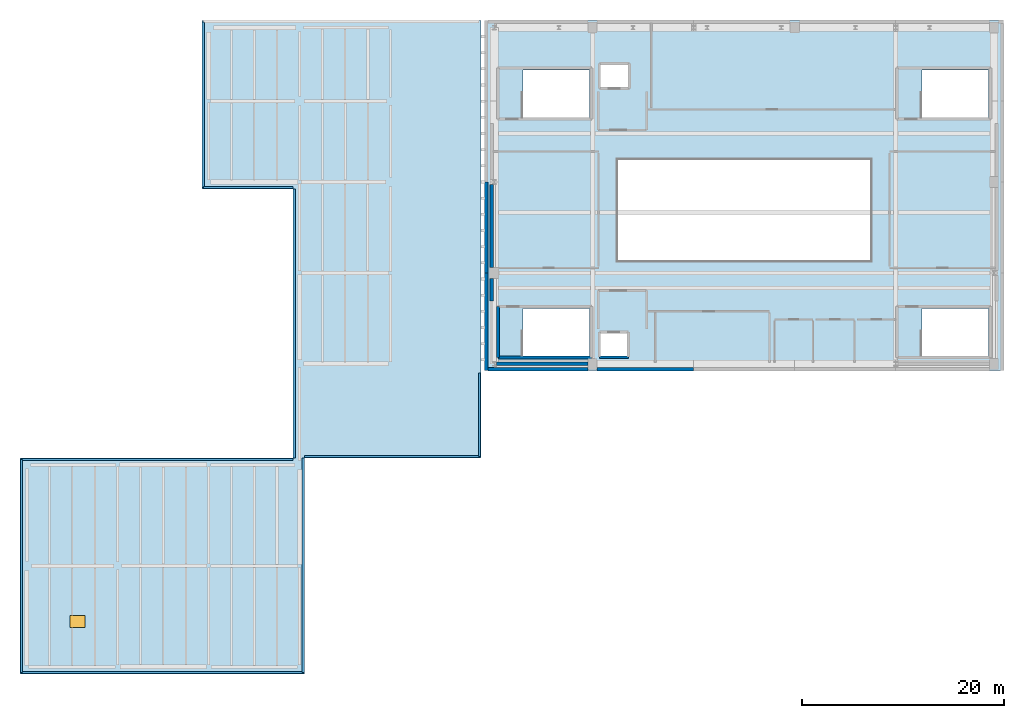
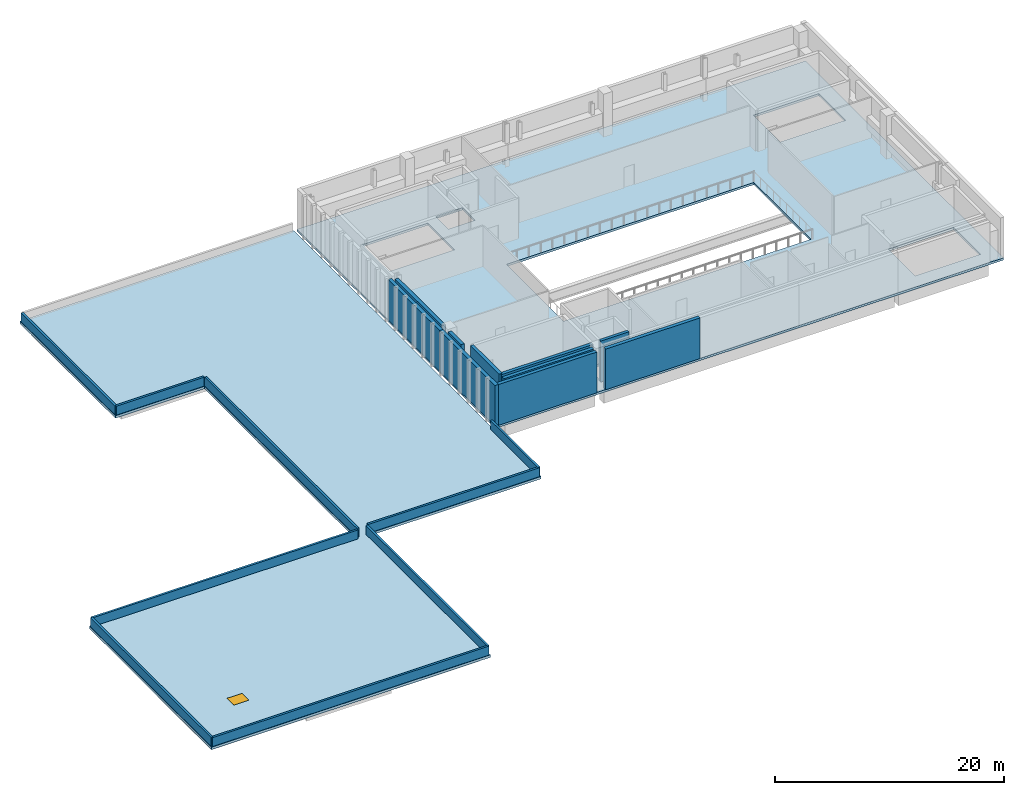
# One storey, part 5 of 8: 19 walls, 2 slabs, 1 window, 1 opening.
"""IFC4 building model written with IfcOpenShell, lengths in metres."""

from ifc_helpers import new_model, si_unit, direction, frame, frame_2d, origin, origin_2d, place, context, subcontext, project, spatial, polyline, rectangle, outline, extrude, material, layer, layer_set, type_object, element, fill, save


model = new_model("IFC4")

# Units and contexts
model_context = context("Model", 3, precision=1e-05, world=origin(), true_north=direction((0.0, 1.0)))
body_context = subcontext(model_context, "Body", "Model", "MODEL_VIEW")
ifc_project = project(units=[si_unit("LENGTHUNIT", "METRE"), si_unit("AREAUNIT", "SQUARE_METRE"), si_unit("VOLUMEUNIT", "CUBIC_METRE"), si_unit("PLANEANGLEUNIT", "RADIAN"), si_unit("MASSUNIT", "GRAM", prefix="KILO")], contexts=[model_context])

# Site, building, storey
site_placement = place(None, origin())
site = spatial("IfcSite", under=ifc_project, at=site_placement, CompositionType="ELEMENT")
building_placement = place(site_placement, origin())
building = spatial("IfcBuilding", under=site, at=building_placement, Name="Trimount Lyric Opera House", CompositionType="ELEMENT")
storey_placement = place(building_placement, frame((0.0, 0.0, 29.60009765625)))
storey = spatial("IfcBuildingStorey", under=building, at=storey_placement, Name="L06", CompositionType="ELEMENT", Elevation=29.60009765625)

# Slab
ifc_material_1 = material(Name="Concrete C35/45", Category="concrete")
ifc_layer_1 = layer(ifc_material_1, 0.239990234375)
ifc_layer_set_1 = layer_set([ifc_layer_1], Name="SL-FL240")
slab_type_1 = type_object("IfcSlabType", Name="SL-FL240", PredefinedType="FLOOR", material=ifc_layer_set_1)
slab_1_placement = place(storey_placement, frame((0.0, 0.0, -0.239990234375)))
element("IfcSlab", 1, at=slab_1_placement, inside=storey, type_object=slab_type_1, Name="L06 floor slab L06-VOL1-N", PredefinedType="FLOOR", context=body_context, shape_type="SweptSolid", body=[
    extrude(outline(polyline([(63.320068359375, 118.0), (114.679931640625, 118.0), (114.679931640625, 83.320068359375), (63.320068359375, 83.320068359375), (63.320068359375, 118.0)]), holes=[polyline([(106.60009765625, 89.5), (106.60009765625, 84.800048828125), (113.199951171875, 84.800048828125), (113.199951171875, 89.5), (106.60009765625, 89.5)]), polyline([(106.60009765625, 113.10009765625), (106.60009765625, 108.39990234375), (113.199951171875, 108.39990234375), (113.199951171875, 113.10009765625), (106.60009765625, 113.10009765625)]), polyline([(76.5, 104.199951171875), (76.5, 94.199951171875), (101.5, 94.199951171875), (101.5, 104.199951171875), (76.5, 104.199951171875)]), polyline([(74.800048828125, 113.60009765625), (74.800048828125, 111.39990234375), (77.5, 111.39990234375), (77.5, 113.60009765625), (74.800048828125, 113.60009765625)]), polyline([(74.800048828125, 84.800048828125), (77.39990234375, 84.800048828125), (77.39990234375, 87.0), (74.800048828125, 87.0), (74.800048828125, 84.800048828125)]), polyline([(67.10009765625, 89.5), (67.10009765625, 84.800048828125), (73.699951171875, 84.800048828125), (73.699951171875, 89.5), (67.10009765625, 89.5)]), polyline([(67.10009765625, 108.39990234375), (73.699951171875, 108.39990234375), (73.699951171875, 113.10009765625), (67.10009765625, 113.10009765625), (67.10009765625, 108.39990234375)])]), origin(), (0.0, 0.0, 1.0), 0.239990234375),
])

# Slab, opening, window
ifc_material_2 = material(Name="Concrete C40/50", Category="concrete")
ifc_layer_2 = layer(ifc_material_2, 0.27001953125)
ifc_layer_set_2 = layer_set([ifc_layer_2], Name="SL-RF270")
slab_type_2 = type_object("IfcSlabType", Name="SL-RF270", PredefinedType="ROOF", material=ifc_layer_set_2)
slab_2_placement = place(storey_placement, frame((0.0, 0.0, -0.27001953125)))
slab_2 = element("IfcSlab", 2, at=slab_2_placement, inside=storey, type_object=slab_type_2, Name="West rehearsal wing upper roof", PredefinedType="ROOF", context=body_context, shape_type="SweptSolid", body=[
    extrude(outline(polyline([(45.5, 74.679931640625), (45.5, 53.320068359375), (17.320068359375, 53.320068359375), (17.320068359375, 74.679931640625), (44.320068359375, 74.679931640625), (44.320068359375, 101.320068359375), (35.320068359375, 101.320068359375), (35.320068359375, 118.0), (62.949951171875, 118.0), (62.949951171875, 74.679931640625), (45.5, 74.679931640625)])), origin(), (0.0, 0.0, 1.0), 0.27001953125),
])
opening_placement = place(slab_2_placement, frame((23.0, 58.5, 0.0)))
opening = element("IfcOpeningElement", 3, at=opening_placement, cuts=slab_2, Name="Opening WT-SKY4", PredefinedType="OPENING", context=body_context, shape_type="SweptSolid", body=[
    extrude(rectangle(XDim=1.5, YDim=1.199951171875, at=origin_2d()), frame((0.0, 0.0, -0.010009765625)), (0.0, 0.0, 1.0), 0.2900390625),
])
ifc_material_3 = material(Name="Roof Maintenance Access Hatch")
window_type = type_object("IfcWindowType", Name="WT-SKY4", PartitioningType="SINGLE_PANEL", PredefinedType="SKYLIGHT", material=ifc_material_3)
window_placement = place(opening_placement, frame((0.0, 0.0, 0.219970703125)))
window = element("IfcWindow", 4, at=window_placement, inside=storey, type_object=window_type, Name="West Core K6 Stair Smoke Hatch", OverallHeight=1.199951171875, OverallWidth=1.5, PartitioningType="SINGLE_PANEL", PredefinedType="SKYLIGHT", context=body_context, shape_type="SweptSolid", body=[
    extrude(rectangle(XDim=1.5, YDim=1.199951171875, at=origin_2d()), origin(), (0.0, 0.0, 1.0), 0.050048828125),
])
fill(opening, window)

# Walls
ifc_material_4 = material(Name="Precast concrete C40/50", Category="concrete")
ifc_layer_3 = layer(ifc_material_4, 0.2099609375)
ifc_layer_set_3 = layer_set([ifc_layer_3], Name="WL-PA210")
wall_type_1 = type_object("IfcWallType", Name="WL-PA210", PredefinedType="PARAPET", material=ifc_layer_set_3)
wall_1_placement = place(storey_placement, frame((45.360107421875, 74.679931640625, 0.0), z_axis=(0.0, 0.0, 1.0), x_axis=(0.0, -1.0, 0.0)))
element("IfcWall", 5, at=wall_1_placement, inside=storey, type_object=wall_type_1, Name="L06 roof parapet 032", PredefinedType="PARAPET", context=body_context, shape_type="SweptSolid", body=[
    extrude(rectangle(XDim=21.219970703125, YDim=0.2099609375, at=frame_2d((10.60986328125, 0.0))), origin(), (0.0, 0.0, 1.0), 0.949951171875),
])
wall_2_placement = place(storey_placement, frame((45.360107421875, 53.4599609375, 0.0), z_axis=(0.0, 0.0, 1.0), x_axis=(-1.0, 0.0, 0.0)))
element("IfcWall", 6, at=wall_2_placement, inside=storey, type_object=wall_type_1, Name="L06 roof parapet 033", PredefinedType="PARAPET", context=body_context, shape_type="SweptSolid", body=[
    extrude(rectangle(XDim=27.900146484375, YDim=0.2099609375, at=frame_2d((13.9501953125, 0.0))), origin(), (0.0, 0.0, 1.0), 0.949951171875),
])
wall_3_placement = place(storey_placement, frame((17.4599609375, 53.4599609375, 0.0), z_axis=(0.0, 0.0, 1.0), x_axis=(0.0, 1.0, 0.0)))
element("IfcWall", 7, at=wall_3_placement, inside=storey, type_object=wall_type_1, Name="L06 roof parapet 034", PredefinedType="PARAPET", context=body_context, shape_type="SweptSolid", body=[
    extrude(rectangle(XDim=21.080078125, YDim=0.2099609375, at=frame_2d((10.5400390625, 0.0))), origin(), (0.0, 0.0, 1.0), 0.949951171875),
])
wall_4_placement = place(storey_placement, frame((17.4599609375, 74.5400390625, 0.0), z_axis=(0.0, 0.0, 1.0), x_axis=(1.0, 0.0, 0.0)))
element("IfcWall", 8, at=wall_4_placement, inside=storey, type_object=wall_type_1, Name="L06 roof parapet 035", PredefinedType="PARAPET", context=body_context, shape_type="SweptSolid", body=[
    extrude(rectangle(XDim=26.860107421875, YDim=0.2099609375, at=frame_2d((13.43017578125, 0.0))), origin(), (0.0, 0.0, 1.0), 0.949951171875),
])
wall_5_placement = place(storey_placement, frame((44.4599609375, 74.679931640625, 0.0), z_axis=(0.0, 0.0, 1.0), x_axis=(0.0, 1.0, 0.0)))
element("IfcWall", 9, at=wall_5_placement, inside=storey, type_object=wall_type_1, Name="L06 roof parapet 036", PredefinedType="PARAPET", context=body_context, shape_type="SweptSolid", body=[
    extrude(rectangle(XDim=26.64013671875, YDim=0.2099609375, at=frame_2d((13.320068359375, 0.0))), origin(), (0.0, 0.0, 1.0), 0.949951171875),
])
wall_6_placement = place(storey_placement, frame((44.320068359375, 101.4599609375, 0.0), z_axis=(0.0, 0.0, 1.0), x_axis=(-1.0, 0.0, 0.0)))
element("IfcWall", 10, at=wall_6_placement, inside=storey, type_object=wall_type_1, Name="L06 roof parapet 037", PredefinedType="PARAPET", context=body_context, shape_type="SweptSolid", body=[
    extrude(rectangle(XDim=8.860107421875, YDim=0.2099609375, at=frame_2d((4.43017578125, 0.0))), origin(), (0.0, 0.0, 1.0), 0.949951171875),
])
wall_7_placement = place(storey_placement, frame((35.4599609375, 101.4599609375, 0.0), z_axis=(0.0, 0.0, 1.0), x_axis=(0.0, 1.0, 0.0)))
element("IfcWall", 11, at=wall_7_placement, inside=storey, type_object=wall_type_1, Name="L06 roof parapet 038", PredefinedType="PARAPET", context=body_context, shape_type="SweptSolid", body=[
    extrude(rectangle(XDim=16.400146484375, YDim=0.2099609375, at=frame_2d((8.2001953125, 0.0))), origin(), (0.0, 0.0, 1.0), 0.949951171875),
])
wall_8_placement = place(storey_placement, frame((62.81005859375, 83.11474609375, 0.0), z_axis=(0.0, 0.0, 1.0), x_axis=(0.0, -1.0, 0.0)))
element("IfcWall", 12, at=wall_8_placement, inside=storey, type_object=wall_type_1, Name="L06 roof parapet 040", PredefinedType="PARAPET", context=body_context, shape_type="SweptSolid", body=[
    extrude(rectangle(XDim=8.294677734375, YDim=0.2099609375, at=frame_2d((4.1474609375, 0.0))), origin(), (0.0, 0.0, 1.0), 0.949951171875),
])
wall_9_placement = place(storey_placement, frame((62.81005859375, 74.820068359375, 0.0), z_axis=(0.0, 0.0, 1.0), x_axis=(-1.0, 0.0, 0.0)))
element("IfcWall", 13, at=wall_9_placement, inside=storey, type_object=wall_type_1, Name="L06 roof parapet 041", PredefinedType="PARAPET", context=body_context, shape_type="SweptSolid", body=[
    extrude(rectangle(XDim=17.31005859375, YDim=0.2099609375, at=frame_2d((8.655029296875, 0.0))), origin(), (0.0, 0.0, 1.0), 0.949951171875),
])
ifc_material_5 = material(Name="Concrete C40/50", Category="concrete")
ifc_layer_4 = layer(ifc_material_5, 0.280029296875)
ifc_layer_set_4 = layer_set([ifc_layer_4], Name="WL-SH280")
wall_type_2 = type_object("IfcWallType", Name="WL-SH280", PredefinedType="SHEAR", material=ifc_layer_set_4)
wall_10_placement = place(storey_placement, frame((74.659912109375, 84.659912109375, 0.0), z_axis=(0.0, 0.0, 1.0), x_axis=(1.0, 0.0, 0.0)))
element("IfcWall", 14, at=wall_10_placement, inside=storey, type_object=wall_type_2, Name="Lift LF-01 L06 south shaft wall", PredefinedType="SHEAR", context=body_context, shape_type="SweptSolid", body=[
    extrude(rectangle(XDim=2.880126953125, YDim=0.280029296875, at=frame_2d((1.43994140625, 0.0))), origin(), (0.0, 0.0, 1.0), 4.3798828125),
])
ifc_material_6 = material(Name="Concrete C40/50", Category="concrete")
ifc_layer_5 = layer(ifc_material_6, 0.320068359375)
ifc_layer_set_5 = layer_set([ifc_layer_5], Name="WL-SH320")
wall_type_3 = type_object("IfcWallType", Name="WL-SH320", PredefinedType="SHEAR", material=ifc_layer_set_5)
wall_11_placement = place(storey_placement, frame((64.625, 84.625, 0.0), z_axis=(0.0, 0.0, 1.0), x_axis=(1.0, 0.0, 0.0)))
element("IfcWall", 15, at=wall_11_placement, inside=storey, type_object=wall_type_3, Name="K3 L06 south shaft wall", PredefinedType="SHEAR", context=body_context, shape_type="SweptSolid", body=[
    extrude(rectangle(XDim=9.25, YDim=0.320068359375, at=frame_2d((4.625, 0.0))), origin(), (0.0, 0.0, 1.0), 4.349853515625),
])
wall_12_placement = place(storey_placement, frame((64.625, 89.675048828125, 0.0), z_axis=(0.0, 0.0, 1.0), x_axis=(0.0, -1.0, 0.0)))
element("IfcWall", 16, at=wall_12_placement, inside=storey, type_object=wall_type_3, Name="K3 L06 west shaft wall", PredefinedType="SHEAR", context=body_context, shape_type="SweptSolid", body=[
    extrude(rectangle(XDim=5.050048828125, YDim=0.320068359375, at=frame_2d((2.52490234375, 0.0))), origin(), (0.0, 0.0, 1.0), 4.349853515625),
])
ifc_material_7 = material(Name="Concrete C40/50", Category="concrete")
ifc_layer_6 = layer(ifc_material_7, 0.35009765625)
ifc_layer_set_6 = layer_set([ifc_layer_6], Name="WL-SH350")
wall_type_4 = type_object("IfcWallType", Name="WL-SH350", PredefinedType="SHEAR", material=ifc_layer_set_6)
wall_13_placement = place(storey_placement, frame((64.0, 90.199951171875, 0.0), z_axis=(0.0, 0.0, 1.0), x_axis=(0.0, 1.0, 0.0)))
element("IfcWall", 17, at=wall_13_placement, inside=storey, type_object=wall_type_4, Name="L06 fly-tower west shear wall", PredefinedType="SHEAR", context=body_context, shape_type="SweptSolid", body=[
    extrude(rectangle(XDim=2.25, YDim=0.35009765625, at=frame_2d((1.125, 0.0))), origin(), (0.0, 0.0, 1.0), 4.349853515625),
])
wall_14_placement = place(storey_placement, frame((64.0, 93.550048828125, 0.0), z_axis=(0.0, 0.0, 1.0), x_axis=(0.0, 1.0, 0.0)))
element("IfcWall", 18, at=wall_14_placement, inside=storey, type_object=wall_type_4, Name="L06 fly-tower west shear wall", PredefinedType="SHEAR", context=body_context, shape_type="SweptSolid", body=[
    extrude(rectangle(XDim=8.217529296875, YDim=0.35009765625, at=frame_2d((4.10888671875, 0.0))), origin(), (0.0, 0.0, 1.0), 4.349853515625),
])
wall_15_placement = place(storey_placement, frame((64.470947265625, 84.0, 0.0), z_axis=(0.0, 0.0, 1.0), x_axis=(1.0, 0.0, 0.0)))
element("IfcWall", 19, at=wall_15_placement, inside=storey, type_object=wall_type_4, Name="L06 proscenium west wing wall", PredefinedType="SHEAR", context=body_context, shape_type="SweptSolid", body=[
    extrude(rectangle(XDim=9.0791015625, YDim=0.35009765625, at=frame_2d((4.53955078125, 0.0))), origin(), (0.0, 0.0, 1.0), 4.349853515625),
])
wall_16_placement = place(storey_placement, frame((63.4599609375, 83.320068359375, 0.0), z_axis=(0.0, 0.0, 1.0), x_axis=(0.0, 1.0, 0.0)))
element("IfcWall", 20, at=wall_16_placement, inside=storey, type_object=wall_type_4, Name="L06 exterior facade wall 355", PredefinedType="SHEAR", context=body_context, shape_type="SweptSolid", body=[
    extrude(rectangle(XDim=9.679931640625, YDim=0.35009765625, at=frame_2d((4.83984375, 0.0))), origin(), (0.0, 0.0, 1.0), 4.349853515625),
])
wall_17_placement = place(storey_placement, frame((63.4599609375, 93.0, 0.0), z_axis=(0.0, 0.0, 1.0), x_axis=(0.0, 1.0, 0.0)))
element("IfcWall", 21, at=wall_17_placement, inside=storey, type_object=wall_type_4, Name="L06 exterior facade wall 356", PredefinedType="SHEAR", context=body_context, shape_type="SweptSolid", body=[
    extrude(rectangle(XDim=9.0, YDim=0.35009765625, at=frame_2d((4.5, 0.0))), origin(), (0.0, 0.0, 1.0), 4.349853515625),
])
wall_18_placement = place(storey_placement, frame((84.0, 83.4599609375, 0.0), z_axis=(0.0, 0.0, 1.0), x_axis=(-1.0, 0.0, 0.0)))
element("IfcWall", 22, at=wall_18_placement, inside=storey, type_object=wall_type_4, Name="L06 exterior facade wall 371", PredefinedType="SHEAR", context=body_context, shape_type="SweptSolid", body=[
    extrude(rectangle(XDim=9.550048828125, YDim=0.35009765625, at=frame_2d((4.77490234375, 0.0))), origin(), (0.0, 0.0, 1.0), 4.349853515625),
])
wall_19_placement = place(storey_placement, frame((73.550048828125, 83.4599609375, 0.0), z_axis=(0.0, 0.0, 1.0), x_axis=(-1.0, 0.0, 0.0)))
element("IfcWall", 23, at=wall_19_placement, inside=storey, type_object=wall_type_4, Name="L06 exterior facade wall 372", PredefinedType="SHEAR", context=body_context, shape_type="SweptSolid", body=[
    extrude(rectangle(XDim=9.91015625, YDim=0.35009765625, at=frame_2d((4.955078125, 0.0))), origin(), (0.0, 0.0, 1.0), 4.349853515625),
])

save(model, "model.ifc")
